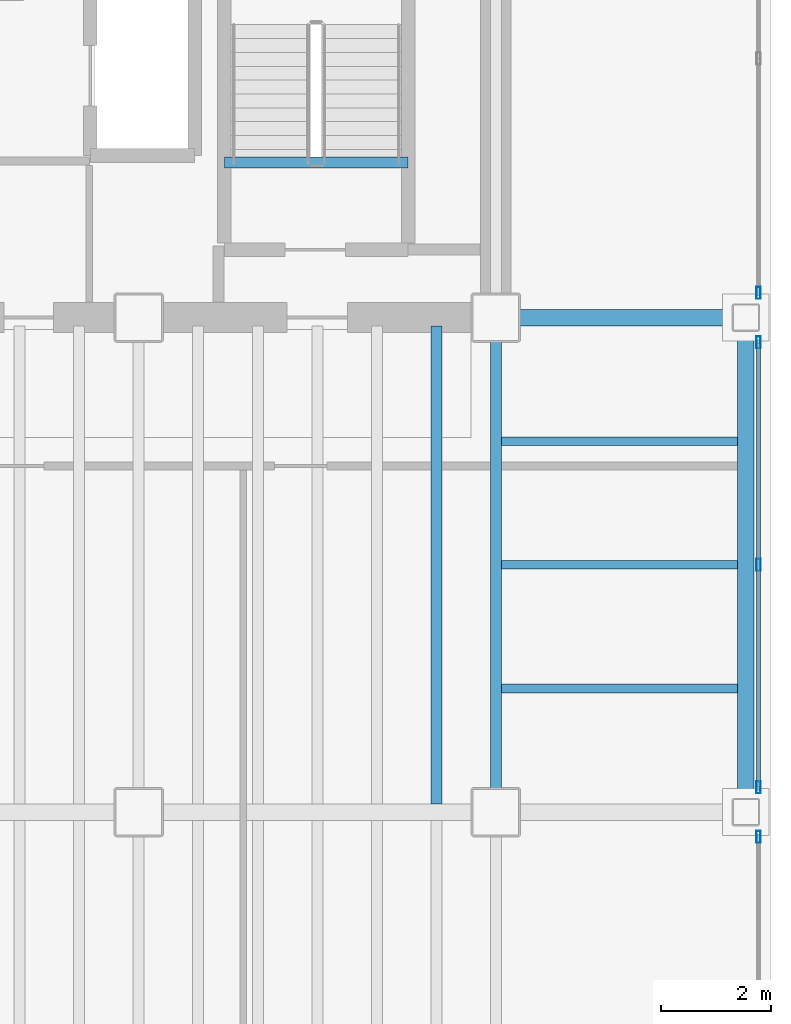
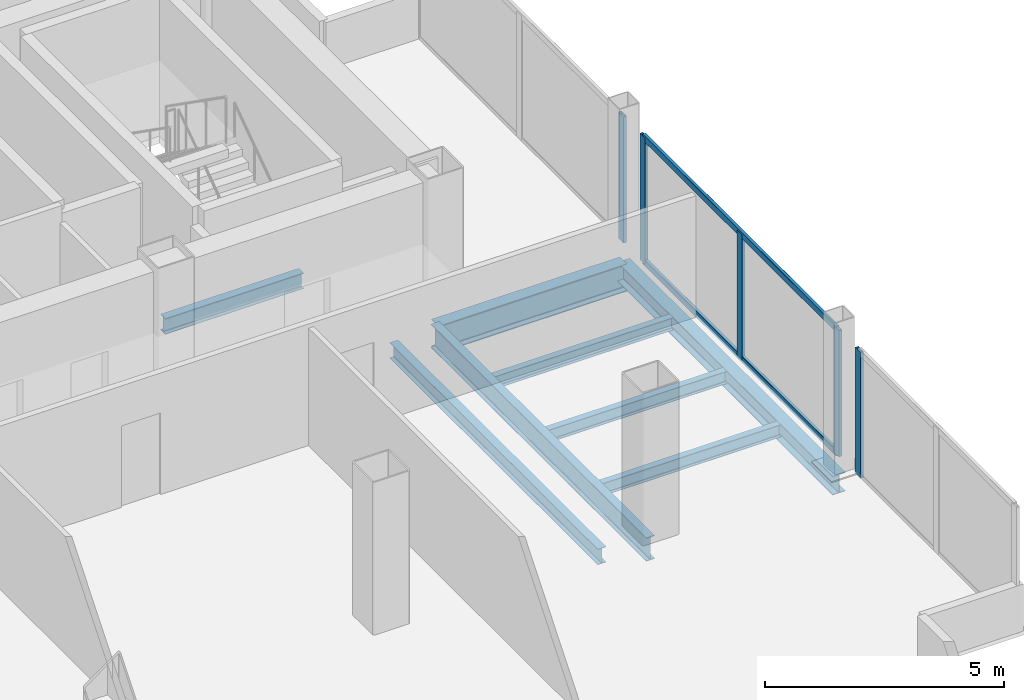
# One storey, part 15 of 20: 8 beams, 7 members, 3 elements without a shape of their own.
"""IFC4 building model written with IfcOpenShell, lengths in metres."""

from ifc_helpers import new_model, si_unit, direction, frame, origin, origin_2d, place, context, subcontext, project, spatial, hollow_rectangle, i_section, extrude, material, material_profile, profile_set, type_object, element, aggregate, save


model = new_model("IFC4")

# Units and contexts
model_context = context("Model", 3, precision=1e-05, world=origin(), true_north=direction((0.0, 1.0)))
body_context = subcontext(model_context, "Body", "Model", "MODEL_VIEW")
ifc_project = project(units=[si_unit("LENGTHUNIT", "METRE"), si_unit("AREAUNIT", "SQUARE_METRE"), si_unit("VOLUMEUNIT", "CUBIC_METRE"), si_unit("PLANEANGLEUNIT", "RADIAN"), si_unit("MASSUNIT", "GRAM", prefix="KILO")], contexts=[model_context])

# Site, building, storey
site_placement = place(None, origin())
site = spatial("IfcSite", under=ifc_project, at=site_placement, CompositionType="ELEMENT")
building_placement = place(site_placement, origin())
building = spatial("IfcBuilding", under=site, at=building_placement, Name="Noeulbin Bourse Tower", CompositionType="ELEMENT")
storey_placement = place(building_placement, frame((0.0, 0.0, 118.800048828125)))
storey = spatial("IfcBuildingStorey", under=building, at=storey_placement, Name="L29", CompositionType="ELEMENT", Elevation=118.800048828125)

# Beams
ifc_material_1 = material(Name="Steel S355", Category="steel")
ifc_material_profile_1 = material_profile(ifc_material_1, i_section(OverallWidth=0.199951171875, OverallDepth=0.60009765625, WebThickness=0.010986328125, FlangeThickness=0.01708984375, FilletRadius=0.02197265625, at=origin_2d()), Name="H-600x200x11x17", Category="LoadBearing")
ifc_profile_set_1 = profile_set([ifc_material_profile_1], Name="Steel S355")
beam_type_1 = type_object("IfcBeamType", Name="BM-GRD-600", PredefinedType="USERDEFINED", material=ifc_profile_set_1)
beam_1_placement = place(storey_placement, frame((44.0, 20.0, -0.47998046875), z_axis=(0.0, 1.0, 0.0), x_axis=(-1.0, 0.0, 0.0)))
element("IfcBeam", 1, at=beam_1_placement, inside=storey, type_object=beam_type_1, Name="Tower Primary Girder NS L29-5.2", ObjectType="GIRDER", PredefinedType="USERDEFINED", context=body_context, shape_type="SweptSolid", body=[
    extrude(i_section(OverallWidth=0.199951171875, OverallDepth=0.60009765625, WebThickness=0.010986328125, FlangeThickness=0.01708984375, FilletRadius=0.02197265625, at=origin_2d()), origin(), (0.0, 0.0, 1.0), 9.0),
])
ifc_material_profile_2 = material_profile(ifc_material_1, i_section(OverallWidth=0.300048828125, OverallDepth=0.699951171875, WebThickness=0.012939453125, FlangeThickness=0.02392578125, FilletRadius=0.02392578125, at=origin_2d()), Name="H-700x300x13x24", Category="LoadBearing")
ifc_profile_set_2 = profile_set([ifc_material_profile_2], Name="Steel S355")
beam_type_2 = type_object("IfcBeamType", Name="BM-GRD-700", PredefinedType="USERDEFINED", material=ifc_profile_set_2)
beam_2_placement = place(storey_placement, frame((44.0, 29.0, -0.530029296875), z_axis=(1.0, 0.0, 0.0), x_axis=(0.0, 1.0, 0.0)))
element("IfcBeam", 2, at=beam_2_placement, inside=storey, type_object=beam_type_2, Name="Tower Primary Girder EW L29-2.6", ObjectType="GIRDER", PredefinedType="USERDEFINED", context=body_context, shape_type="SweptSolid", body=[
    extrude(i_section(OverallWidth=0.300048828125, OverallDepth=0.699951171875, WebThickness=0.012939453125, FlangeThickness=0.02392578125, FilletRadius=0.02392578125, at=origin_2d()), origin(), (0.0, 0.0, 1.0), 4.550048828125),
])
ifc_material_profile_3 = material_profile(ifc_material_1, i_section(OverallWidth=0.159912109375, OverallDepth=0.320068359375, WebThickness=0.006591796875, FlangeThickness=0.010009765625, FilletRadius=0.012939453125, at=origin_2d()), Name="H-320x160x6.5x10", Category="LoadBearing")
ifc_profile_set_3 = profile_set([ifc_material_profile_3], Name="Steel S355")
beam_type_3 = type_object("IfcBeamType", Name="BM-JST-320", PredefinedType="JOIST", material=ifc_profile_set_3)
for number, where, z_axis, x_axis, name in (
    (3, (44.10009765625, 22.25, -0.340087890625), (1.0, 0.0, 0.0), (0.0, 1.0, 0.0), "Wing Composite Joist L29-E50"),
    (4, (44.10009765625, 24.5, -0.340087890625), (1.0, 0.0, 0.0), (0.0, 1.0, 0.0), "Wing Composite Joist L29-E51"),
    (5, (44.10009765625, 26.75, -0.340087890625), (1.0, 0.0, 0.0), (0.0, 1.0, 0.0), "Wing Composite Joist L29-E52"),
):
    element("IfcBeam", number, at=place(storey_placement, frame(where, z_axis=z_axis, x_axis=x_axis)), inside=storey, type_object=beam_type_3, Name=name, PredefinedType="JOIST", context=body_context, shape_type="SweptSolid", body=[
        extrude(i_section(OverallWidth=0.159912109375, OverallDepth=0.320068359375, WebThickness=0.006591796875, FlangeThickness=0.010009765625, FilletRadius=0.012939453125, at=origin_2d()), origin(), (0.0, 0.0, 1.0), 4.2998046875),
    ])
ifc_material_profile_4 = material_profile(ifc_material_1, i_section(OverallWidth=0.199951171875, OverallDepth=0.39990234375, WebThickness=0.008056640625, FlangeThickness=0.012939453125, FilletRadius=0.01611328125, at=origin_2d()), Name="H-400x200x8x13", Category="LoadBearing")
ifc_profile_set_4 = profile_set([ifc_material_profile_4], Name="Steel S355")
beam_type_4 = type_object("IfcBeamType", Name="BM-SEC-400", PredefinedType="BEAM", material=ifc_profile_set_4)
beam_3_placement = place(storey_placement, frame((42.916748046875, 20.14990234375, -0.380126953125), z_axis=(0.0, 1.0, 0.0), x_axis=(-1.0, 0.0, 0.0)))
element("IfcBeam", 6, at=beam_3_placement, inside=storey, type_object=beam_type_4, Name="Tower Composite Joist L29-46", PredefinedType="BEAM", context=body_context, shape_type="SweptSolid", body=[
    extrude(i_section(OverallWidth=0.199951171875, OverallDepth=0.39990234375, WebThickness=0.008056640625, FlangeThickness=0.012939453125, FilletRadius=0.01611328125, at=origin_2d()), origin(), (0.0, 0.0, 1.0), 8.7001953125),
])
beam_4_placement = place(storey_placement, frame((39.06005859375, 31.820068359375, -0.199951171875), z_axis=(1.0, 0.0, 0.0), x_axis=(0.0, 1.0, 0.0)))
element("IfcBeam", 7, at=beam_4_placement, inside=storey, type_object=beam_type_4, Name="Stair Threshold Trimmer Beam ST2-L29", PredefinedType="BEAM", context=body_context, shape_type="SweptSolid", body=[
    extrude(i_section(OverallWidth=0.199951171875, OverallDepth=0.39990234375, WebThickness=0.008056640625, FlangeThickness=0.012939453125, FilletRadius=0.01611328125, at=origin_2d()), origin(), (0.0, 0.0, 1.0), 3.33984375),
])
ifc_material_profile_5 = material_profile(ifc_material_1, i_section(OverallWidth=0.300048828125, OverallDepth=0.488037109375, WebThickness=0.010986328125, FlangeThickness=0.01806640625, FilletRadius=0.02197265625, at=origin_2d()), Name="H-488x300x11x18", Category="LoadBearing")
ifc_profile_set_5 = profile_set([ifc_material_profile_5], Name="Steel S355")
beam_type_5 = type_object("IfcBeamType", Name="BM-SPN-488", PredefinedType="SPANDREL", material=ifc_profile_set_5)
beam_5_placement = place(storey_placement, frame((48.550048828125, 20.0, -0.424072265625), z_axis=(0.0, 1.0, 0.0), x_axis=(-1.0, 0.0, 0.0)))
element("IfcBeam", 8, at=beam_5_placement, inside=storey, type_object=beam_type_5, Name="East Spandrel L29-1", PredefinedType="SPANDREL", context=body_context, shape_type="SweptSolid", body=[
    extrude(i_section(OverallWidth=0.300048828125, OverallDepth=0.488037109375, WebThickness=0.010986328125, FlangeThickness=0.01806640625, FilletRadius=0.02197265625, at=origin_2d()), origin(), (0.0, 0.0, 1.0), 9.0),
])

# Curtain wall, member
ifc_material_2 = material(Name="Dark Tinted Triple Glazing", Category="glass")
curtain_wall_type = type_object("IfcCurtainWallType", Name="CW-SYS-3", PredefinedType="NOTDEFINED", material=ifc_material_2)
curtain_wall_1_placement = place(storey_placement, origin())
curtain_wall_1 = element("IfcCurtainWall", 9, at=curtain_wall_1_placement, inside=storey, type_object=curtain_wall_type, Name="Unitised Curtain Wall CW-L29-E-S1", PredefinedType="NOTDEFINED")
ifc_material_3 = material(Name="Anodised Aluminium 6063-T6", Category="aluminium")
ifc_material_profile_6 = material_profile(ifc_material_3, hollow_rectangle(XDim=0.074951171875, YDim=0.219970703125, WallThickness=0.0048828125, InnerFilletRadius=0.00244140625, OuterFilletRadius=0.0048828125, at=origin_2d()), Name="ALU-MULL-75x220x5", Category="LoadBearing")
ifc_profile_set_6 = profile_set([ifc_material_profile_6], Name="Anodised Aluminium 6063-T6")
member_type_1 = type_object("IfcMemberType", Name="CW-SYS-3-MUL", PredefinedType="MULLION", material=ifc_profile_set_6)
member_1_placement = place(storey_placement, frame((48.780029296875, 19.550048828125, -0.02001953125), z_axis=(0.0, 0.0, 1.0), x_axis=(1.0, 0.0, 0.0)))
member_1 = element("IfcMember", 10, at=member_1_placement, type_object=member_type_1, Name="Curtain Wall Mullion CW-L29-E-S1-M02", PredefinedType="MULLION", context=body_context, shape_type="SweptSolid", body=[
    extrude(hollow_rectangle(XDim=0.074951171875, YDim=0.219970703125, WallThickness=0.0048828125, InnerFilletRadius=0.00244140625, OuterFilletRadius=0.0048828125, at=origin_2d()), origin(), (0.0, 0.0, 1.0), 3.219970703125),
])
aggregate(curtain_wall_1, [member_1])

# Curtain wall, members
curtain_wall_2_placement = place(storey_placement, origin())
curtain_wall_2 = element("IfcCurtainWall", 11, at=curtain_wall_2_placement, inside=storey, type_object=curtain_wall_type, Name="Unitised Curtain Wall CW-L29-E-S2", PredefinedType="NOTDEFINED")
member_2_placement = place(storey_placement, frame((48.780029296875, 20.449951171875, -0.02001953125), z_axis=(0.0, 0.0, 1.0), x_axis=(1.0, 0.0, 0.0)))
member_2 = element("IfcMember", 12, at=member_2_placement, type_object=member_type_1, Name="Curtain Wall Mullion CW-L29-E-S2-M00", PredefinedType="MULLION", context=body_context, shape_type="SweptSolid", body=[
    extrude(hollow_rectangle(XDim=0.074951171875, YDim=0.219970703125, WallThickness=0.0048828125, InnerFilletRadius=0.00244140625, OuterFilletRadius=0.0048828125, at=origin_2d()), origin(), (0.0, 0.0, 1.0), 3.219970703125),
])
member_3_placement = place(storey_placement, frame((48.780029296875, 24.5, -0.02001953125), z_axis=(0.0, 0.0, 1.0), x_axis=(1.0, 0.0, 0.0)))
member_3 = element("IfcMember", 13, at=member_3_placement, type_object=member_type_1, Name="Curtain Wall Mullion CW-L29-E-S2-M01", PredefinedType="MULLION", context=body_context, shape_type="SweptSolid", body=[
    extrude(hollow_rectangle(XDim=0.074951171875, YDim=0.219970703125, WallThickness=0.0048828125, InnerFilletRadius=0.00244140625, OuterFilletRadius=0.0048828125, at=origin_2d()), origin(), (0.0, 0.0, 1.0), 3.219970703125),
])
member_4_placement = place(storey_placement, frame((48.780029296875, 28.550048828125, -0.02001953125), z_axis=(0.0, 0.0, 1.0), x_axis=(1.0, 0.0, 0.0)))
member_4 = element("IfcMember", 14, at=member_4_placement, type_object=member_type_1, Name="Curtain Wall Mullion CW-L29-E-S2-M02", PredefinedType="MULLION", context=body_context, shape_type="SweptSolid", body=[
    extrude(hollow_rectangle(XDim=0.074951171875, YDim=0.219970703125, WallThickness=0.0048828125, InnerFilletRadius=0.00244140625, OuterFilletRadius=0.0048828125, at=origin_2d()), origin(), (0.0, 0.0, 1.0), 3.219970703125),
])

# Curtain wall, member
curtain_wall_3_placement = place(storey_placement, origin())
curtain_wall_3 = element("IfcCurtainWall", 15, at=curtain_wall_3_placement, inside=storey, type_object=curtain_wall_type, Name="Unitised Curtain Wall CW-L29-E-S3", PredefinedType="NOTDEFINED")
member_5_placement = place(storey_placement, frame((48.780029296875, 29.449951171875, -0.02001953125), z_axis=(0.0, 0.0, 1.0), x_axis=(1.0, 0.0, 0.0)))
member_5 = element("IfcMember", 16, at=member_5_placement, type_object=member_type_1, Name="Curtain Wall Mullion CW-L29-E-S3-M00", PredefinedType="MULLION", context=body_context, shape_type="SweptSolid", body=[
    extrude(hollow_rectangle(XDim=0.074951171875, YDim=0.219970703125, WallThickness=0.0048828125, InnerFilletRadius=0.00244140625, OuterFilletRadius=0.0048828125, at=origin_2d()), origin(), (0.0, 0.0, 1.0), 3.219970703125),
])
aggregate(curtain_wall_3, [member_5])

# Member
ifc_material_profile_7 = material_profile(ifc_material_3, hollow_rectangle(XDim=0.074951171875, YDim=0.159912109375, WallThickness=0.0048828125, InnerFilletRadius=0.00244140625, OuterFilletRadius=0.0048828125, at=origin_2d()), Name="ALU-TRAN-75x160x5", Category="LoadBearing")
ifc_profile_set_7 = profile_set([ifc_material_profile_7], Name="Anodised Aluminium 6063-T6")
member_type_2 = type_object("IfcMemberType", Name="CW-SYS-3-TRN", PredefinedType="USERDEFINED", material=ifc_profile_set_7)
member_6_placement = place(storey_placement, frame((48.780029296875, 20.4599609375, 0.010009765625), z_axis=(0.0, 1.0, 0.0), x_axis=(-1.0, 0.0, 0.0)))
member_6 = element("IfcMember", 17, at=member_6_placement, type_object=member_type_2, Name="Curtain Wall Transom CW-L29-E-S2-T00", ObjectType="TRANSOM", PredefinedType="USERDEFINED", context=body_context, shape_type="SweptSolid", body=[
    extrude(hollow_rectangle(XDim=0.074951171875, YDim=0.159912109375, WallThickness=0.0048828125, InnerFilletRadius=0.00244140625, OuterFilletRadius=0.0048828125, at=origin_2d()), origin(), (0.0, 0.0, 1.0), 8.080078125),
])

member_7_placement = place(storey_placement, frame((48.780029296875, 20.4599609375, 3.169921875), z_axis=(0.0, 1.0, 0.0), x_axis=(-1.0, 0.0, 0.0)))
member_7 = element("IfcMember", 18, at=member_7_placement, type_object=member_type_2, Name="Curtain Wall Transom CW-L29-E-S2-T01", ObjectType="TRANSOM", PredefinedType="USERDEFINED", context=body_context, shape_type="SweptSolid", body=[
    extrude(hollow_rectangle(XDim=0.074951171875, YDim=0.159912109375, WallThickness=0.0048828125, InnerFilletRadius=0.00244140625, OuterFilletRadius=0.0048828125, at=origin_2d()), origin(), (0.0, 0.0, 1.0), 8.080078125),
])

aggregate(curtain_wall_2, [member_2, member_3, member_4, member_6, member_7])

save(model, "model.ifc")
